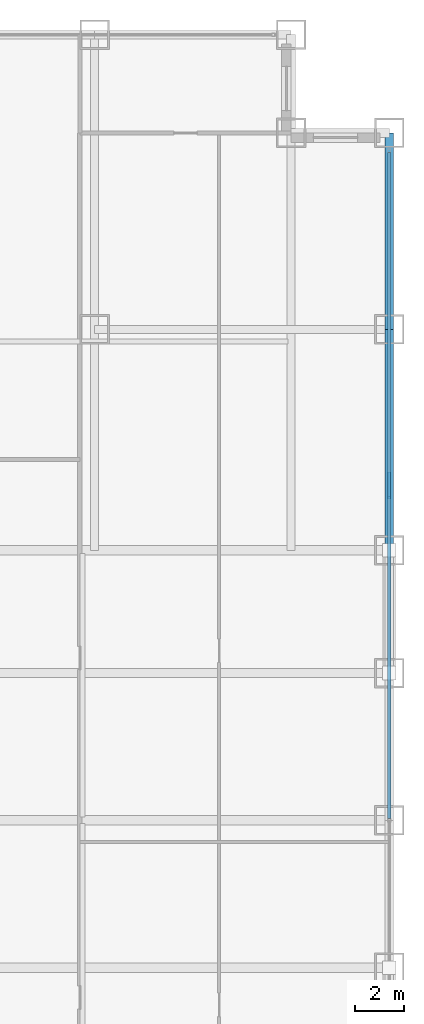
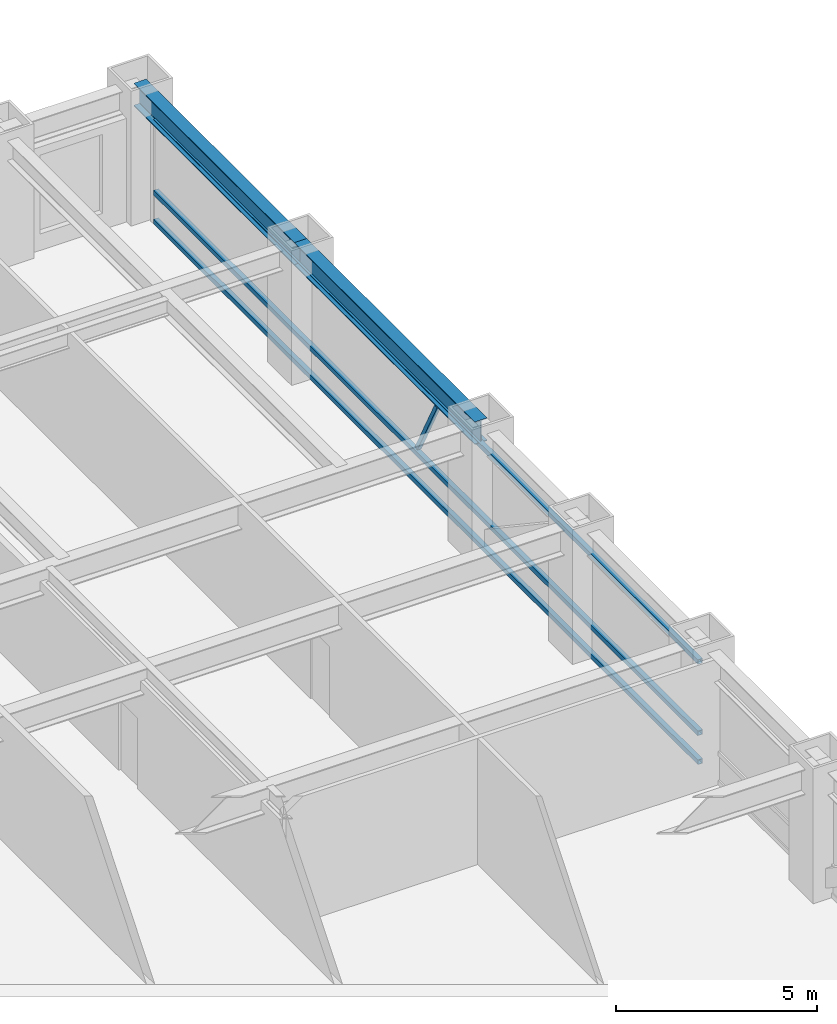
# One storey, part 15 of 28: 4 members, 2 beams, 1 element without a shape of its own.
"""IFC4 building model written with IfcOpenShell, lengths in metres."""

from ifc_helpers import new_model, si_unit, direction, frame, origin, origin_2d, place, context, subcontext, project, spatial, hollow_rectangle, i_section, extrude, source, transform, mapped, material, material_profile, profile_set, type_object, element, aggregate, save


model = new_model("IFC4")

# Units and contexts
model_context = context("Model", 3, precision=1e-05, world=origin(), true_north=direction((0.0, 1.0)))
body_context = subcontext(model_context, "Body", "Model", "MODEL_VIEW")
ifc_project = project(units=[si_unit("LENGTHUNIT", "METRE"), si_unit("AREAUNIT", "SQUARE_METRE"), si_unit("VOLUMEUNIT", "CUBIC_METRE"), si_unit("PLANEANGLEUNIT", "RADIAN"), si_unit("MASSUNIT", "GRAM", prefix="KILO")], contexts=[model_context])

# Site, building, storey
site_placement = place(None, origin())
site = spatial("IfcSite", under=ifc_project, at=site_placement, CompositionType="ELEMENT")
building_placement = place(site_placement, origin())
building = spatial("IfcBuilding", under=site, at=building_placement, Name="Khorayat Bourse Tower", CompositionType="ELEMENT")
storey_placement = place(building_placement, frame((0.0, 0.0, 120.10009765625)))
storey = spatial("IfcBuildingStorey", under=building, at=storey_placement, Name="L27", CompositionType="ELEMENT", Elevation=120.10009765625)

# Beams
ifc_material_1 = material(Name="Steel ASTM A992 Grade 50", Category="steel")
ifc_material_profile_1 = material_profile(ifc_material_1, i_section(OverallWidth=0.35498046875, OverallDepth=0.695068359375, WebThickness=0.015380859375, FlangeThickness=0.02490234375, FilletRadius=0.01806640625, at=origin_2d()), Name="W690X217")
ifc_profile_set_1 = profile_set([ifc_material_profile_1], Name="Steel ASTM A992 Grade 50")
beam_type = type_object("IfcBeamType", Name="BM-SPAN-690", PredefinedType="SPANDREL", material=ifc_profile_set_1)
shared_shape_1 = source(origin(), body_context, "Body", "SweptSolid", [
    extrude(i_section(OverallWidth=0.35498046875, OverallDepth=0.695068359375, WebThickness=0.015380859375, FlangeThickness=0.02490234375, FilletRadius=0.01806640625, at=origin_2d()), origin(), (0.0, 0.0, 1.0), 9.0),
])
beam_1_placement = place(storey_placement, frame((32.0, 11.0, 3.492431640625), z_axis=(0.0, 1.0, 0.0), x_axis=(-1.0, 0.0, 0.0)))
element("IfcBeam", 1, at=beam_1_placement, inside=storey, type_object=beam_type, Name="L27 BM-SPAN-690 BM-L27-SPN-040", PredefinedType="SPANDREL", context=body_context, shape_type="MappedRepresentation", body=[
    mapped(shared_shape_1, transform((0.0, 0.0, 0.0), scale=1.0)),
])
shared_shape_2 = source(origin(), body_context, "Body", "SweptSolid", [
    extrude(i_section(OverallWidth=0.35498046875, OverallDepth=0.695068359375, WebThickness=0.015380859375, FlangeThickness=0.02490234375, FilletRadius=0.01806640625, at=origin_2d()), origin(), (0.0, 0.0, 1.0), 8.0),
])
beam_2_placement = place(storey_placement, frame((32.0, 20.0, 3.492431640625), z_axis=(0.0, 1.0, 0.0), x_axis=(-1.0, 0.0, 0.0)))
element("IfcBeam", 2, at=beam_2_placement, inside=storey, type_object=beam_type, Name="L27 BM-SPAN-690 BM-L27-SPN-041", PredefinedType="SPANDREL", context=body_context, shape_type="MappedRepresentation", body=[
    mapped(shared_shape_2, transform((0.0, 0.0, 0.0), scale=1.0)),
])

# Curtain wall, members
ifc_material_2 = material(Name="Aluminium EN AW-6063 T6", Category="aluminium")
curtain_wall_type = type_object("IfcCurtainWallType", Name="CW-SYS-02", PredefinedType="NOTDEFINED", material=ifc_material_2)
curtain_wall_placement = place(storey_placement, origin())
curtain_wall = element("IfcCurtainWall", 3, at=curtain_wall_placement, inside=storey, type_object=curtain_wall_type, Name="L27 Curtain Wall CW-L27-E1", PredefinedType="NOTDEFINED")
ifc_material_profile_2 = material_profile(ifc_material_2, hollow_rectangle(XDim=0.139892578125, YDim=0.139892578125, WallThickness=0.006103515625, at=origin_2d()), Name="ALU 140x140x6")
ifc_profile_set_2 = profile_set([ifc_material_profile_2], Name="Aluminium EN AW-6063 T6")
member_type_1 = type_object("IfcMemberType", Name="CWT-HORZ-140", PredefinedType="USERDEFINED", material=ifc_profile_set_2)
shared_shape_3 = source(origin(), body_context, "Body", "SweptSolid", [
    extrude(hollow_rectangle(XDim=0.139892578125, YDim=0.139892578125, WallThickness=0.006103515625, at=origin_2d()), origin(), (0.0, 0.0, 1.0), 27.139892578125),
])
member_1_placement = place(storey_placement, frame((32.0, 0.070068359375, 0.06982421875), z_axis=(0.0, 1.0, 0.0), x_axis=(-1.0, 0.0, 0.0)))
member_1 = element("IfcMember", 4, at=member_1_placement, type_object=member_type_1, Name="CW-L27-E1 Horizontal Transom 2-1", ObjectType="TRANSOM", PredefinedType="USERDEFINED", context=body_context, shape_type="MappedRepresentation", body=[
    mapped(shared_shape_3, transform((0.0, 0.0, 0.0), scale=1.0)),
])
member_2_placement = place(storey_placement, frame((32.0, 0.070068359375, 0.949951171875), z_axis=(0.0, 1.0, 0.0), x_axis=(-1.0, 0.0, 0.0)))
member_2 = element("IfcMember", 5, at=member_2_placement, type_object=member_type_1, Name="CW-L27-E1 Horizontal Transom 2-2", ObjectType="TRANSOM", PredefinedType="USERDEFINED", context=body_context, shape_type="MappedRepresentation", body=[
    mapped(shared_shape_3, transform((0.0, 0.0, 0.0), scale=1.0)),
])
member_3_placement = place(storey_placement, frame((32.0, 0.070068359375, 3.119873046875), z_axis=(0.0, 1.0, 0.0), x_axis=(-1.0, 0.0, 0.0)))
member_3 = element("IfcMember", 6, at=member_3_placement, type_object=member_type_1, Name="CW-L27-E1 Horizontal Transom 2-3", ObjectType="TRANSOM", PredefinedType="USERDEFINED", context=body_context, shape_type="MappedRepresentation", body=[
    mapped(shared_shape_3, transform((0.0, 0.0, 0.0), scale=1.0)),
])
ifc_material_profile_3 = material_profile(ifc_material_2, hollow_rectangle(XDim=0.1201171875, YDim=0.1201171875, WallThickness=0.0048828125, at=origin_2d()), Name="ALU 120x120x5")
ifc_profile_set_3 = profile_set([ifc_material_profile_3], Name="Aluminium EN AW-6063 T6")
member_type_2 = type_object("IfcMemberType", Name="CWM-DIAG-120", PredefinedType="MULLION", material=ifc_profile_set_3)
shared_shape_4 = source(origin(), body_context, "Body", "SweptSolid", [
    extrude(hollow_rectangle(XDim=0.1201171875, YDim=0.1201171875, WallThickness=0.0048828125, at=origin_2d()), origin(), (0.0, 0.0, 1.0), 2.11328125),
])
member_4_placement = place(storey_placement, frame((32.0, 14.132080078125, 1.099853515625), z_axis=(0.0, -0.465694055905, 0.884945787207), x_axis=(1.0, 0.0, 0.0)))
member_4 = element("IfcMember", 7, at=member_4_placement, type_object=member_type_2, Name="CW-L27-E1 Faceted Diagonal Mullion 2", PredefinedType="MULLION", context=body_context, shape_type="MappedRepresentation", body=[
    mapped(shared_shape_4, transform((0.0, 0.0, 0.0), scale=1.0)),
])
aggregate(curtain_wall, [member_1, member_2, member_3, member_4])

save(model, "model.ifc")
